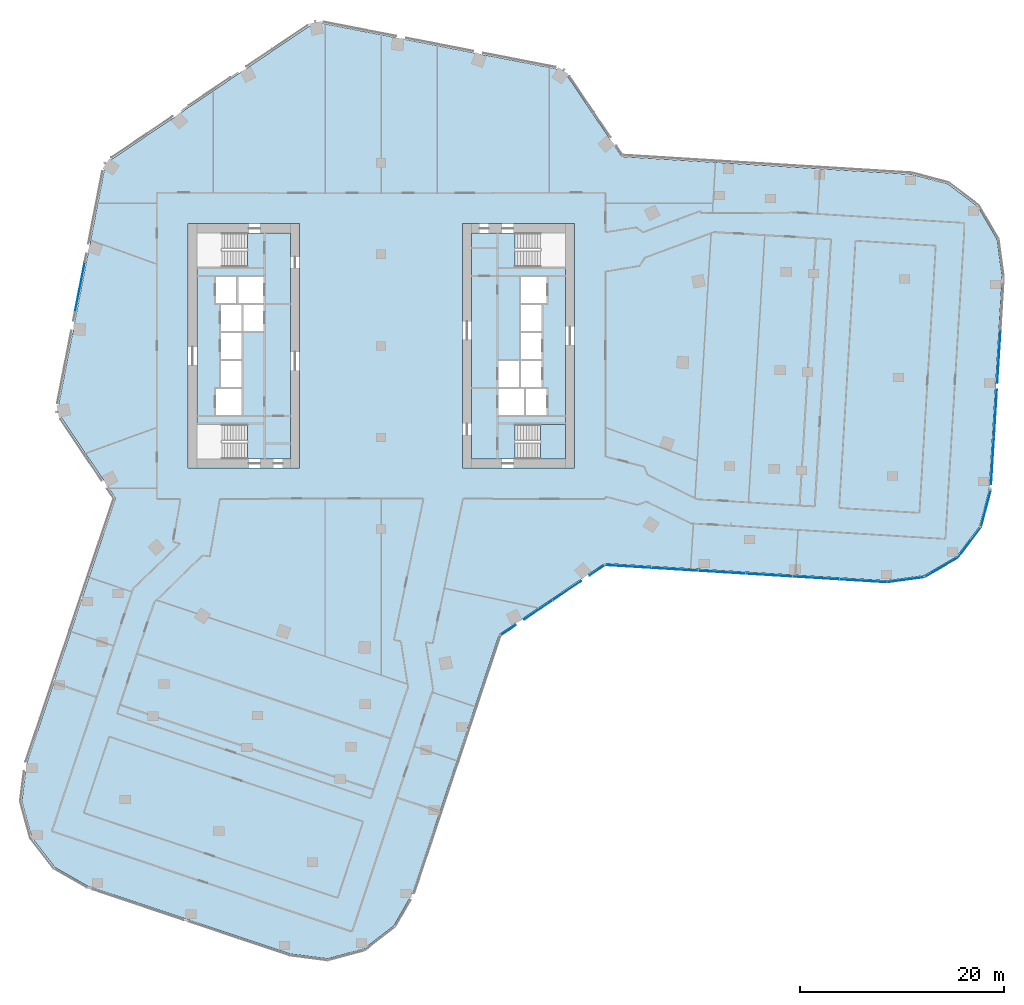
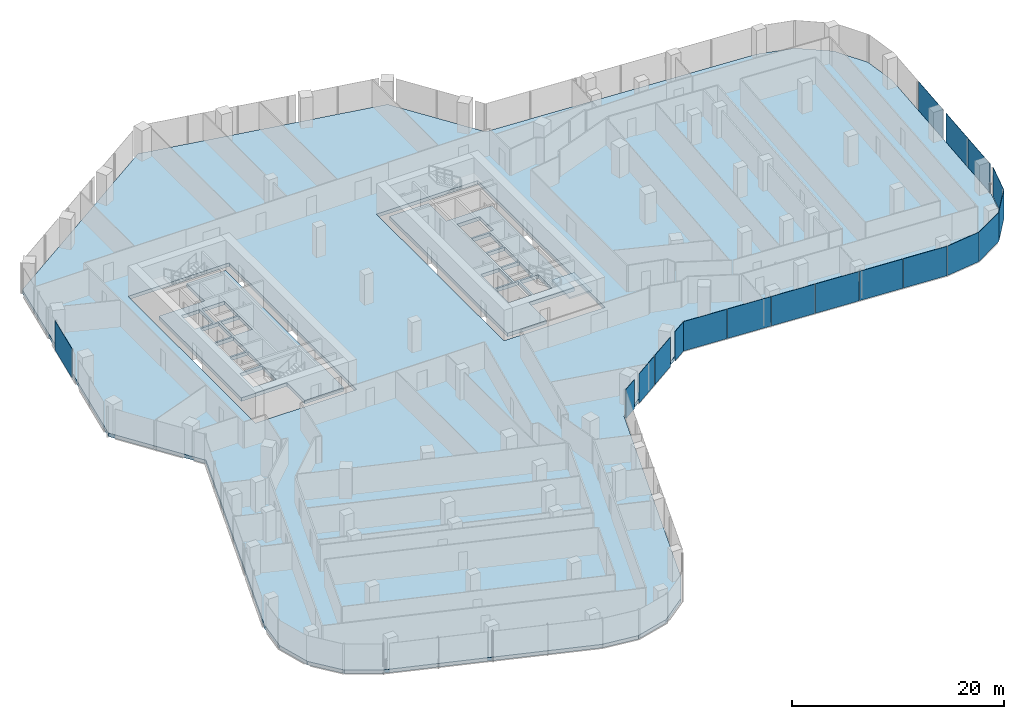
# One storey, part 19 of 32: 18 plates, 4 slabs, 9 elements without a shape of their own.
"""IFC4 building model written with IfcOpenShell, lengths in metres."""

from ifc_helpers import new_model, si_unit, direction, frame, origin, origin_2d, place, context, subcontext, project, spatial, polyline, rectangle, outline, extrude, material, layer, layer_set, type_object, element, aggregate, save


model = new_model("IFC4")

# Units and contexts
model_context = context("Model", 3, precision=1e-05, world=origin(), true_north=direction((0.0, 1.0)))
body_context = subcontext(model_context, "Body", "Model", "MODEL_VIEW")
ifc_project = project(units=[si_unit("LENGTHUNIT", "METRE"), si_unit("AREAUNIT", "SQUARE_METRE"), si_unit("VOLUMEUNIT", "CUBIC_METRE"), si_unit("PLANEANGLEUNIT", "RADIAN"), si_unit("MASSUNIT", "GRAM", prefix="KILO")], contexts=[model_context])

# Site, building, storey
site_placement = place(None, origin())
site = spatial("IfcSite", under=ifc_project, at=site_placement, CompositionType="ELEMENT")
building_placement = place(site_placement, origin())
building = spatial("IfcBuilding", under=site, at=building_placement, Name="Orlundy Tower", CompositionType="ELEMENT")
storey_placement = place(building_placement, frame((0.0, 0.0, 152.60009765625)))
storey = spatial("IfcBuildingStorey", under=building, at=storey_placement, Name="L39", CompositionType="ELEMENT", Elevation=152.60009765625)

# Curtain wall, plates
ifc_material_1 = material(Name="Aluminium bronze anodised", Category="aluminium")
curtain_wall_type = type_object("IfcCurtainWallType", Name="CW1 wall", PredefinedType="NOTDEFINED", material=ifc_material_1)
curtain_wall_1_placement = place(storey_placement, origin())
curtain_wall_1 = element("IfcCurtainWall", 1, at=curtain_wall_1_placement, inside=storey, type_object=curtain_wall_type, Name="CW1 run 00", PredefinedType="NOTDEFINED")
ifc_material_2 = material(Name="Tinted glass", Category="glass")
ifc_layer_1 = layer(ifc_material_2, 0.031982421875)
ifc_layer_set_1 = layer_set([ifc_layer_1], Name="CW1 glass panel 32")
plate_type = type_object("IfcPlateType", Name="CW1 glass panel 32", PredefinedType="CURTAIN_PANEL", material=ifc_layer_set_1)
plate_1_placement = place(storey_placement, frame((47.37109375, -23.098876953125, -0.280029296875), z_axis=(0.0, 0.0, 1.0), x_axis=(-0.998135153221, 0.061042738341, 0.0)))
plate_1 = element("IfcPlate", 2, at=plate_1_placement, type_object=plate_type, Name="CW1 panel", PredefinedType="CURTAIN_PANEL", context=body_context, shape_type="SweptSolid", body=[
    extrude(rectangle(XDim=4.5966796875, YDim=0.031982421875, at=origin_2d()), origin(), (0.0, 0.0, 1.0), 3.3798828125),
])
plate_2_placement = place(storey_placement, frame((42.740966796875, -22.815673828125, -0.280029296875), z_axis=(0.0, 0.0, 1.0), x_axis=(-0.998135153221, 0.061042738341, 0.0)))
plate_2 = element("IfcPlate", 3, at=plate_2_placement, type_object=plate_type, Name="CW1 panel", PredefinedType="CURTAIN_PANEL", context=body_context, shape_type="SweptSolid", body=[
    extrude(rectangle(XDim=4.58056640625, YDim=0.031982421875, at=origin_2d()), origin(), (0.0, 0.0, 1.0), 3.3798828125),
])
plate_3_placement = place(storey_placement, frame((38.118896484375, -22.532958984375, -0.280029296875), z_axis=(0.0, 0.0, 1.0), x_axis=(-0.998135153221, 0.061042738341, 0.0)))
plate_3 = element("IfcPlate", 4, at=plate_3_placement, type_object=plate_type, Name="CW1 panel", PredefinedType="CURTAIN_PANEL", context=body_context, shape_type="SweptSolid", body=[
    extrude(rectangle(XDim=4.58056640625, YDim=0.031982421875, at=origin_2d()), origin(), (0.0, 0.0, 1.0), 3.3798828125),
])
plate_4_placement = place(storey_placement, frame((33.4970703125, -22.250244140625, -0.280029296875), z_axis=(0.0, 0.0, 1.0), x_axis=(-0.998135153221, 0.061042738341, 0.0)))
plate_4 = element("IfcPlate", 5, at=plate_4_placement, type_object=plate_type, Name="CW1 panel", PredefinedType="CURTAIN_PANEL", context=body_context, shape_type="SweptSolid", body=[
    extrude(rectangle(XDim=4.58056640625, YDim=0.031982421875, at=origin_2d()), origin(), (0.0, 0.0, 1.0), 3.3798828125),
])
plate_5_placement = place(storey_placement, frame((28.875, -21.9677734375, -0.280029296875), z_axis=(0.0, 0.0, 1.0), x_axis=(-0.998135153221, 0.061042738341, 0.0)))
plate_5 = element("IfcPlate", 6, at=plate_5_placement, type_object=plate_type, Name="CW1 panel", PredefinedType="CURTAIN_PANEL", context=body_context, shape_type="SweptSolid", body=[
    extrude(rectangle(XDim=4.58056640625, YDim=0.031982421875, at=origin_2d()), origin(), (0.0, 0.0, 1.0), 3.3798828125),
])
plate_6_placement = place(storey_placement, frame((24.268310546875, -21.68603515625, -0.280029296875), z_axis=(0.0, 0.0, 1.0), x_axis=(-0.998135153221, 0.061042738341, 0.0)))
plate_6 = element("IfcPlate", 7, at=plate_6_placement, type_object=plate_type, Name="CW1 panel", PredefinedType="CURTAIN_PANEL", context=body_context, shape_type="SweptSolid", body=[
    extrude(rectangle(XDim=4.550048828125, YDim=0.031982421875, at=origin_2d()), origin(), (0.0, 0.0, 1.0), 3.3798828125),
])
aggregate(curtain_wall_1, [plate_1, plate_2, plate_3, plate_4, plate_5, plate_6])

curtain_wall_2_placement = place(storey_placement, origin())
curtain_wall_2 = element("IfcCurtainWall", 8, at=curtain_wall_2_placement, inside=storey, type_object=curtain_wall_type, Name="CW1 run 01", PredefinedType="NOTDEFINED")
plate_7_placement = place(storey_placement, frame((21.246826171875, -22.05322265625, -0.280029296875), z_axis=(0.0, 0.0, 1.0), x_axis=(-0.829056587538, -0.559164711565, 0.0)))
plate_7 = element("IfcPlate", 9, at=plate_7_placement, type_object=plate_type, Name="CW1 panel", PredefinedType="CURTAIN_PANEL", context=body_context, shape_type="SweptSolid", body=[
    extrude(rectangle(XDim=1.810791015625, YDim=0.031982421875, at=origin_2d()), origin(), (0.0, 0.0, 1.0), 3.3798828125),
])
plate_8_placement = place(storey_placement, frame((18.269775390625, -24.061279296875, -0.280029296875), z_axis=(0.0, 0.0, 1.0), x_axis=(-0.829056587538, -0.559164711565, 0.0)))
plate_8 = element("IfcPlate", 10, at=plate_8_placement, type_object=plate_type, Name="CW1 panel", PredefinedType="CURTAIN_PANEL", context=body_context, shape_type="SweptSolid", body=[
    extrude(rectangle(XDim=3.33203125, YDim=0.031982421875, at=origin_2d()), origin(), (0.0, 0.0, 1.0), 3.3798828125),
])
plate_9_placement = place(storey_placement, frame((15.465576171875, -25.95263671875, -0.280029296875), z_axis=(0.0, 0.0, 1.0), x_axis=(-0.829056587538, -0.559164711565, 0.0)))
plate_9 = element("IfcPlate", 11, at=plate_9_placement, type_object=plate_type, Name="CW1 panel", PredefinedType="CURTAIN_PANEL", context=body_context, shape_type="SweptSolid", body=[
    extrude(rectangle(XDim=3.33251953125, YDim=0.031982421875, at=origin_2d()), origin(), (0.0, 0.0, 1.0), 3.3798828125),
])
plate_10_placement = place(storey_placement, frame((12.487548828125, -27.961181640625, -0.280029296875), z_axis=(0.0, 0.0, 1.0), x_axis=(-0.829056587538, -0.559164711565, 0.0)))
plate_10 = element("IfcPlate", 12, at=plate_10_placement, type_object=plate_type, Name="CW1 panel", PredefinedType="CURTAIN_PANEL", context=body_context, shape_type="SweptSolid", body=[
    extrude(rectangle(XDim=1.808837890625, YDim=0.031982421875, at=origin_2d()), origin(), (0.0, 0.0, 1.0), 3.3798828125),
])
aggregate(curtain_wall_2, [plate_7, plate_8, plate_9, plate_10])

# Curtain wall, plate
curtain_wall_3_placement = place(storey_placement, origin())
curtain_wall_3 = element("IfcCurtainWall", 13, at=curtain_wall_3_placement, inside=storey, type_object=curtain_wall_type, Name="CW1 run 014", PredefinedType="NOTDEFINED")
plate_11_placement = place(storey_placement, frame((-29.610107421875, 5.75537109375, -0.280029296875), z_axis=(0.0, 0.0, 1.0), x_axis=(0.19080503976, 0.981627952333, 0.0)))
plate_11 = element("IfcPlate", 14, at=plate_11_placement, type_object=plate_type, Name="CW1 panel", PredefinedType="CURTAIN_PANEL", context=body_context, shape_type="SweptSolid", body=[
    extrude(rectangle(XDim=4.92041015625, YDim=0.031982421875, at=origin_2d()), origin(), (0.0, 0.0, 1.0), 3.3798828125),
])
aggregate(curtain_wall_3, [plate_11])

# Curtain wall, plates
curtain_wall_4_placement = place(storey_placement, origin())
curtain_wall_4 = element("IfcCurtainWall", 15, at=curtain_wall_4_placement, inside=storey, type_object=curtain_wall_type, Name="CW1 run 023", PredefinedType="NOTDEFINED")
plate_12_placement = place(storey_placement, frame((60.7109375, -1.08349609375, -0.280029296875), z_axis=(0.0, 0.0, 1.0), x_axis=(-0.061047131434, -0.998134884544, 0.0)))
plate_12 = element("IfcPlate", 16, at=plate_12_placement, type_object=plate_type, Name="CW1 panel", PredefinedType="CURTAIN_PANEL", context=body_context, shape_type="SweptSolid", body=[
    extrude(rectangle(XDim=5.199951171875, YDim=0.031982421875, at=origin_2d()), origin(), (0.0, 0.0, 1.0), 3.3798828125),
])
plate_13_placement = place(storey_placement, frame((60.372802734375, -6.61279296875, -0.280029296875), z_axis=(0.0, 0.0, 1.0), x_axis=(-0.061047131434, -0.998134884544, 0.0)))
plate_13 = element("IfcPlate", 17, at=plate_13_placement, type_object=plate_type, Name="CW1 panel", PredefinedType="CURTAIN_PANEL", context=body_context, shape_type="SweptSolid", body=[
    extrude(rectangle(XDim=4.620361328125, YDim=0.031982421875, at=origin_2d()), origin(), (0.0, 0.0, 1.0), 3.3798828125),
])
plate_14_placement = place(storey_placement, frame((60.08740234375, -11.279541015625, -0.280029296875), z_axis=(0.0, 0.0, 1.0), x_axis=(-0.061047131434, -0.998134884544, 0.0)))
plate_14 = element("IfcPlate", 18, at=plate_14_placement, type_object=plate_type, Name="CW1 panel", PredefinedType="CURTAIN_PANEL", context=body_context, shape_type="SweptSolid", body=[
    extrude(rectangle(XDim=4.63037109375, YDim=0.031982421875, at=origin_2d()), origin(), (0.0, 0.0, 1.0), 3.3798828125),
])
aggregate(curtain_wall_4, [plate_12, plate_13, plate_14])

# Curtain wall, plate
curtain_wall_5_placement = place(storey_placement, origin())
curtain_wall_5 = element("IfcCurtainWall", 19, at=curtain_wall_5_placement, inside=storey, type_object=curtain_wall_type, Name="CW1 run 024", PredefinedType="NOTDEFINED")
plate_15_placement = place(storey_placement, frame((59.42724609375, -16.02783203125, -0.280029296875), z_axis=(0.0, 0.0, 1.0), x_axis=(-0.254705790277, -0.967018593616, 0.0)))
plate_15 = element("IfcPlate", 20, at=plate_15_placement, type_object=plate_type, Name="CW1 panel", PredefinedType="CURTAIN_PANEL", context=body_context, shape_type="SweptSolid", body=[
    extrude(rectangle(XDim=3.72998046875, YDim=0.031982421875, at=origin_2d()), origin(), (0.0, 0.0, 1.0), 3.3798828125),
])
aggregate(curtain_wall_5, [plate_15])

curtain_wall_6_placement = place(storey_placement, origin())
curtain_wall_6 = element("IfcCurtainWall", 21, at=curtain_wall_6_placement, inside=storey, type_object=curtain_wall_type, Name="CW1 run 025", PredefinedType="NOTDEFINED")
plate_16_placement = place(storey_placement, frame((57.81103515625, -19.332763671875, -0.280029296875), z_axis=(0.0, 0.0, 1.0), x_axis=(-0.605124308835, -0.796131001065, 0.0)))
plate_16 = element("IfcPlate", 22, at=plate_16_placement, type_object=plate_type, Name="CW1 panel", PredefinedType="CURTAIN_PANEL", context=body_context, shape_type="SweptSolid", body=[
    extrude(rectangle(XDim=3.77197265625, YDim=0.031982421875, at=origin_2d()), origin(), (0.0, 0.0, 1.0), 3.3798828125),
])
aggregate(curtain_wall_6, [plate_16])

curtain_wall_7_placement = place(storey_placement, origin())
curtain_wall_7 = element("IfcCurtainWall", 23, at=curtain_wall_7_placement, inside=storey, type_object=curtain_wall_type, Name="CW1 run 026", PredefinedType="NOTDEFINED")
plate_17_placement = place(storey_placement, frame((55.04052734375, -21.7841796875, -0.280029296875), z_axis=(0.0, 0.0, 1.0), x_axis=(-0.863876736944, -0.503703269164, 0.0)))
plate_17 = element("IfcPlate", 24, at=plate_17_placement, type_object=plate_type, Name="CW1 panel", PredefinedType="CURTAIN_PANEL", context=body_context, shape_type="SweptSolid", body=[
    extrude(rectangle(XDim=3.771728515625, YDim=0.031982421875, at=origin_2d()), origin(), (0.0, 0.0, 1.0), 3.3798828125),
])
aggregate(curtain_wall_7, [plate_17])

curtain_wall_8_placement = place(storey_placement, origin())
curtain_wall_8 = element("IfcCurtainWall", 25, at=curtain_wall_8_placement, inside=storey, type_object=curtain_wall_type, Name="CW1 run 027", PredefinedType="NOTDEFINED")
plate_18_placement = place(storey_placement, frame((51.563232421875, -22.985595703125, -0.280029296875), z_axis=(0.0, 0.0, 1.0), x_axis=(-0.990861331967, -0.134884472094, 0.0)))
plate_18 = element("IfcPlate", 26, at=plate_18_placement, type_object=plate_type, Name="CW1 panel", PredefinedType="CURTAIN_PANEL", context=body_context, shape_type="SweptSolid", body=[
    extrude(rectangle(XDim=3.73046875, YDim=0.031982421875, at=origin_2d()), origin(), (0.0, 0.0, 1.0), 3.3798828125),
])
aggregate(curtain_wall_8, [plate_18])

# Slabs
ifc_material_3 = material(Name="Concrete C50/60", Category="concrete")
ifc_layer_2 = layer(ifc_material_3, 0.409912109375)
ifc_layer_set_2 = layer_set([ifc_layer_2], Name="Core Floor Slab 410")
slab_type_1 = type_object("IfcSlabType", Name="Core Floor Slab 410", PredefinedType="FLOOR", material=ifc_layer_set_2)
slab_1_placement = place(storey_placement, frame((0.0, 0.0, -0.41015625)))
element("IfcSlab", 27, at=slab_1_placement, inside=storey, type_object=slab_type_1, Name="Core floor W30", PredefinedType="FLOOR", context=body_context, shape_type="SweptSolid", body=[
    extrude(outline(polyline([(-13.14501953125, -11.10009765625), (-13.14501953125, -7.75), (-18.10009765625, -7.75), (-18.10009765625, 7.75), (-13.14501953125, 7.75), (-13.14501953125, 11.10009765625), (-8.89990234375, 11.10009765625), (-8.89990234375, -11.10009765625), (-13.14501953125, -11.10009765625)]), holes=[polyline([(-13.739990234375, -4.22509765625), (-16.239990234375, -4.22509765625), (-16.239990234375, -6.77490234375), (-13.739990234375, -6.77490234375), (-13.739990234375, -4.22509765625)]), polyline([(-13.739990234375, -4.02490234375), (-13.739990234375, -1.47509765625), (-15.739990234375, -1.47509765625), (-15.739990234375, -4.02490234375), (-13.739990234375, -4.02490234375)]), polyline([(-15.739990234375, -1.27490234375), (-13.739990234375, -1.27490234375), (-13.739990234375, 1.27490234375), (-15.739990234375, 1.27490234375), (-15.739990234375, -1.27490234375)]), polyline([(-13.5400390625, 4.02490234375), (-13.5400390625, 1.47509765625), (-11.5400390625, 1.47509765625), (-11.5400390625, 4.02490234375), (-13.5400390625, 4.02490234375)]), polyline([(-13.739990234375, 4.02490234375), (-15.739990234375, 4.02490234375), (-15.739990234375, 1.47509765625), (-13.739990234375, 1.47509765625), (-13.739990234375, 4.02490234375)]), polyline([(-11.5400390625, 4.22509765625), (-11.5400390625, 6.77490234375), (-14.0400390625, 6.77490234375), (-14.0400390625, 4.22509765625), (-11.5400390625, 4.22509765625)]), polyline([(-16.239990234375, 4.22509765625), (-14.239990234375, 4.22509765625), (-14.239990234375, 6.77490234375), (-16.239990234375, 6.77490234375), (-16.239990234375, 4.22509765625)])]), origin(), (0.0, 0.0, 1.0), 0.41015625),
])
slab_2_placement = place(storey_placement, frame((0.0, 0.0, -0.41015625)))
element("IfcSlab", 28, at=slab_2_placement, inside=storey, type_object=slab_type_1, Name="Core floor E30", PredefinedType="FLOOR", context=body_context, shape_type="SweptSolid", body=[
    extrude(outline(polyline([(13.14501953125, 11.10009765625), (13.14501953125, 7.75), (18.10009765625, 7.75), (18.10009765625, -7.75), (13.14501953125, -7.75), (13.14501953125, -11.10009765625), (8.89990234375, -11.10009765625), (8.89990234375, 11.10009765625), (13.14501953125, 11.10009765625)]), holes=[polyline([(13.739990234375, 4.22509765625), (16.239990234375, 4.22509765625), (16.239990234375, 6.77490234375), (13.739990234375, 6.77490234375), (13.739990234375, 4.22509765625)]), polyline([(13.739990234375, 4.02490234375), (13.739990234375, 1.47509765625), (15.739990234375, 1.47509765625), (15.739990234375, 4.02490234375), (13.739990234375, 4.02490234375)]), polyline([(15.739990234375, 1.27490234375), (13.739990234375, 1.27490234375), (13.739990234375, -1.27490234375), (15.739990234375, -1.27490234375), (15.739990234375, 1.27490234375)]), polyline([(13.5400390625, -4.02490234375), (13.5400390625, -1.47509765625), (11.5400390625, -1.47509765625), (11.5400390625, -4.02490234375), (13.5400390625, -4.02490234375)]), polyline([(13.739990234375, -4.02490234375), (15.739990234375, -4.02490234375), (15.739990234375, -1.47509765625), (13.739990234375, -1.47509765625), (13.739990234375, -4.02490234375)]), polyline([(11.5400390625, -4.22509765625), (11.5400390625, -6.77490234375), (14.0400390625, -6.77490234375), (14.0400390625, -4.22509765625), (11.5400390625, -4.22509765625)]), polyline([(16.239990234375, -4.22509765625), (14.239990234375, -4.22509765625), (14.239990234375, -6.77490234375), (16.239990234375, -6.77490234375), (16.239990234375, -4.22509765625)])]), origin(), (0.0, 0.0, 1.0), 0.41015625),
])

# Stair, slab
ifc_material_4 = material(Name="Concrete C50/60", Category="concrete")
stair_type = type_object("IfcStairType", Name="Exit Stair 20 risers", PredefinedType="HALF_TURN_STAIR", material=ifc_material_4)
stair_placement = place(storey_placement, origin())
stair = element("IfcStair", 29, at=stair_placement, inside=storey, type_object=stair_type, Name="L39 Exit Stair ST-E1", PredefinedType="HALF_TURN_STAIR")
ifc_material_5 = material(Name="Concrete C50/60", Category="concrete")
ifc_layer_3 = layer(ifc_material_5, 0.199951171875)
ifc_layer_set_3 = layer_set([ifc_layer_3], Name="Exit Stair Landing")
slab_type_2 = type_object("IfcSlabType", Name="Exit Stair Landing", PredefinedType="LANDING", material=ifc_layer_set_3)
slab_3_placement = place(storey_placement, frame((0.0, 0.0, 1.5498046875)))
slab_3 = element("IfcSlab", 30, at=slab_3_placement, type_object=slab_type_2, Name="ST-E1 landing 1", PredefinedType="LANDING", context=body_context, shape_type="SweptSolid", body=[
    extrude(outline(polyline([(15.659912109375, -11.10009765625), (18.10009765625, -11.10009765625), (18.10009765625, -7.75), (15.659912109375, -7.75), (15.659912109375, -11.10009765625)])), origin(), (0.0, 0.0, 1.0), 0.2001953125),
])
aggregate(stair, [slab_3])

# Slab
ifc_material_6 = material(Name="Concrete C45/55", Category="concrete")
ifc_layer_4 = layer(ifc_material_6, 0.39990234375)
ifc_layer_set_4 = layer_set([ifc_layer_4], Name="FLOOR SLAB THICK 400 C45/55")
slab_type_3 = type_object("IfcSlabType", Name="FLOOR SLAB THICK 400 C45/55", PredefinedType="FLOOR", material=ifc_layer_set_4)
slab_4_placement = place(storey_placement, frame((0.0, 0.0, -0.400146484375)))
element("IfcSlab", 31, at=slab_4_placement, inside=storey, type_object=slab_type_3, Name="Floor slab L39", PredefinedType="FLOOR", context=body_context, shape_type="SweptSolid", body=[
    extrude(outline(polyline([(21.951904296875, -21.3798828125), (11.60009765625, -28.362060546875), (3.10107421875, -53.761962890625), (1.261962890625, -56.97998046875), (-1.6689453125, -59.25), (-5.2451171875, -60.22509765625), (-8.922119140625, -59.757080078125), (-28.8369140625, -53.093994140625), (-32.054931640625, -51.25390625), (-34.324951171875, -48.322998046875), (-35.299072265625, -44.7470703125), (-34.83203125, -41.070068359375), (-26.095947265625, -14.9599609375), (-31.820068359375, -6.47412109375), (-27.077880859375, 17.922119140625), (-6.47412109375, 31.820068359375), (17.922119140625, 27.077880859375), (23.64697265625, 18.591064453125), (52.1259765625, 16.84912109375), (55.7099609375, 15.905029296875), (58.660888671875, 13.662109375), (60.528076171875, 10.4599609375), (61.028076171875, 6.787109375), (59.74609375, -14.174072265625), (58.802001953125, -17.758056640625), (56.55908203125, -20.708984375), (53.35693359375, -22.575927734375), (49.68408203125, -23.075927734375), (21.951904296875, -21.3798828125)]), holes=[polyline([(-8.0, -12.0), (-8.0, 12.0), (-19.0, 12.0), (-19.0, -12.0), (-8.0, -12.0)]), polyline([(19.0, -12.0), (19.0, 12.0), (8.0, 12.0), (8.0, -12.0), (19.0, -12.0)])]), origin(), (0.0, 0.0, 1.0), 0.400146484375),
])

save(model, "model.ifc")
